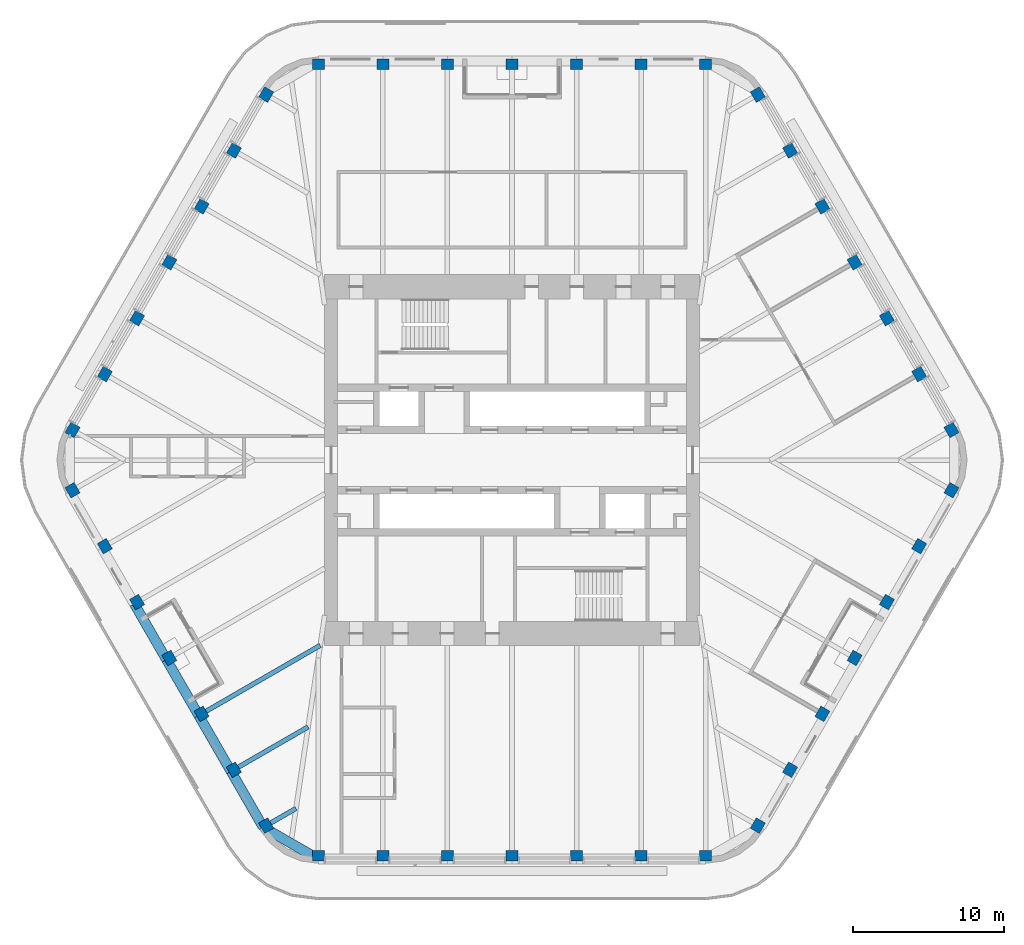
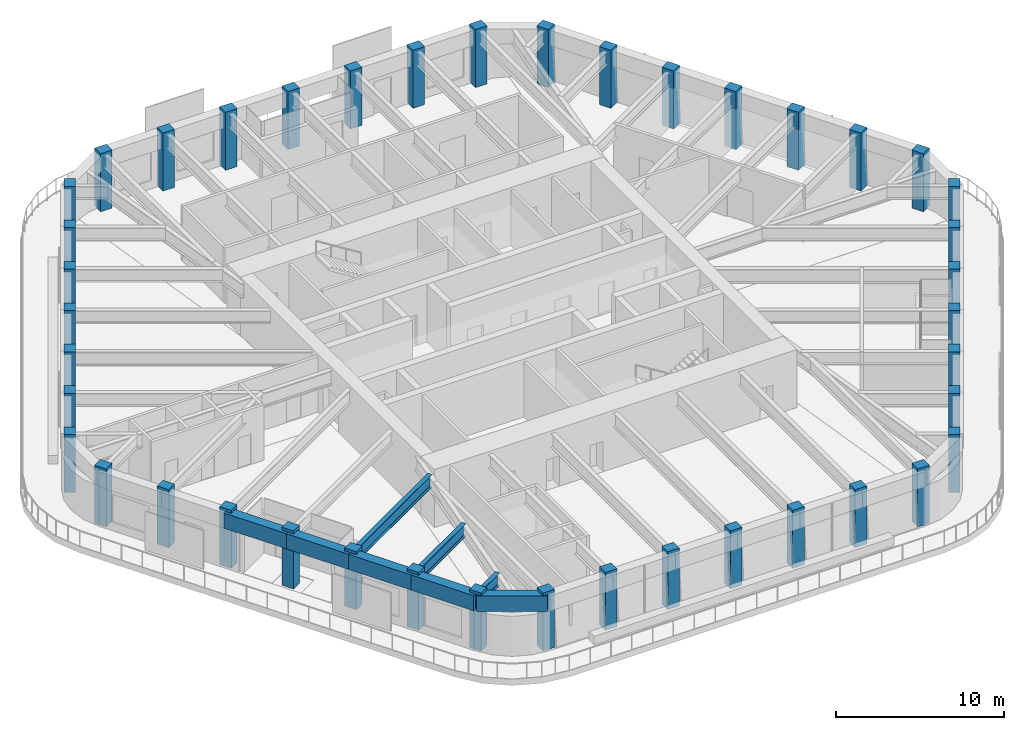
# One storey, part 1 of 19: 42 columns, 8 beams.
"""IFC4 building model written with IfcOpenShell, lengths in metres."""

from ifc_helpers import new_model, si_unit, direction, frame, origin, origin_2d, place, context, subcontext, project, spatial, rectangle, i_section, extrude, material, material_profile, profile_set, type_object, element, save


model = new_model("IFC4")

# Units and contexts
model_context = context("Model", 3, precision=1e-05, world=origin(), true_north=direction((0.0, 1.0)))
body_context = subcontext(model_context, "Body", "Model", "MODEL_VIEW")
ifc_project = project(units=[si_unit("LENGTHUNIT", "METRE"), si_unit("AREAUNIT", "SQUARE_METRE"), si_unit("VOLUMEUNIT", "CUBIC_METRE"), si_unit("PLANEANGLEUNIT", "RADIAN"), si_unit("MASSUNIT", "GRAM", prefix="KILO")], contexts=[model_context])

# Site, building, storey
site_placement = place(None, origin())
site = spatial("IfcSite", under=ifc_project, at=site_placement, CompositionType="ELEMENT")
building_placement = place(site_placement, origin())
building = spatial("IfcBuilding", under=site, at=building_placement, Name="Tarfa Lantern Tower", CompositionType="ELEMENT")
storey_placement = place(building_placement, frame((0.0, 0.0, 387.10009765625)))
storey = spatial("IfcBuildingStorey", under=building, at=storey_placement, Name="L88", CompositionType="ELEMENT", Elevation=387.10009765625)

# Columns
ifc_material_1 = material(Name="Concrete C80/95", Category="concrete")
ifc_material_profile_1 = material_profile(ifc_material_1, rectangle(XDim=0.800048828125, YDim=0.699951171875, at=origin_2d()), Name="RC 800x700")
ifc_profile_set_1 = profile_set([ifc_material_profile_1], Name="Concrete C80/95")
column_type = type_object("IfcColumnType", Name="TC16 RC 800x700", PredefinedType="COLUMN", material=ifc_profile_set_1)
for number, where, z_axis, x_axis, name in (
    (1, (29.15625, 2.0, 0.0), (0.0, 0.0, 1.0), (-0.5, 0.866025403784, 0.0), "Tube column NE0"),
    (2, (27.01513671875, 5.708251953125, 0.0), (0.0, 0.0, 1.0), (-0.5, 0.866025403784, 0.0), "Tube column NE1"),
    (3, (24.874267578125, 9.416748046875, 0.0), (0.0, 0.0, 1.0), (-0.5, 0.866025403784, 0.0), "Tube column NE2"),
    (4, (22.733154296875, 13.125, 0.0), (0.0, 0.0, 1.0), (-0.5, 0.866025403784, 0.0), "Tube column NE3"),
    (5, (20.592041015625, 16.833251953125, 0.0), (0.0, 0.0, 1.0), (-0.5, 0.866025403784, 0.0), "Tube column NE4"),
    (6, (18.451171875, 20.541748046875, 0.0), (0.0, 0.0, 1.0), (-0.5, 0.866025403784, 0.0), "Tube column NE5"),
    (7, (16.31005859375, 24.25, 0.0), (0.0, 0.0, 1.0), (-0.5, 0.866025403784, 0.0), "Tube column NE6"),
    (8, (12.845947265625, 26.25, 0.0), (0.0, 0.0, 1.0), (-1.0, 0.0, 0.0), "Tube column N0"),
    (9, (8.56396484375, 26.25, 0.0), (0.0, 0.0, 1.0), (-1.0, 0.0, 0.0), "Tube column N1"),
    (10, (4.281982421875, 26.25, 0.0), (0.0, 0.0, 1.0), (-1.0, 0.0, 0.0), "Tube column N2"),
    (11, (0.0, 26.25, 0.0), (0.0, 0.0, 1.0), (-1.0, 0.0, 0.0), "Tube column N3"),
    (12, (-4.281982421875, 26.25, 0.0), (0.0, 0.0, 1.0), (-1.0, 0.0, 0.0), "Tube column N4"),
    (13, (-8.56396484375, 26.25, 0.0), (0.0, 0.0, 1.0), (-1.0, 0.0, 0.0), "Tube column N5"),
    (14, (-12.845947265625, 26.25, 0.0), (0.0, 0.0, 1.0), (-1.0, 0.0, 0.0), "Tube column N6"),
    (15, (-16.31005859375, 24.25, 0.0), (0.0, 0.0, 1.0), (-0.5, -0.866025403784, 0.0), "Tube column NW0"),
    (16, (-18.451171875, 20.541748046875, 0.0), (0.0, 0.0, 1.0), (-0.5, -0.866025403784, 0.0), "Tube column NW1"),
    (17, (-20.592041015625, 16.833251953125, 0.0), (0.0, 0.0, 1.0), (-0.5, -0.866025403784, 0.0), "Tube column NW2"),
    (18, (-22.733154296875, 13.125, 0.0), (0.0, 0.0, 1.0), (-0.5, -0.866025403784, 0.0), "Tube column NW3"),
    (19, (-24.874267578125, 9.416748046875, 0.0), (0.0, 0.0, 1.0), (-0.5, -0.866025403784, 0.0), "Tube column NW4"),
    (20, (-27.01513671875, 5.708251953125, 0.0), (0.0, 0.0, 1.0), (-0.5, -0.866025403784, 0.0), "Tube column NW5"),
    (21, (-29.15625, 2.0, 0.0), (0.0, 0.0, 1.0), (-0.5, -0.866025403784, 0.0), "Tube column NW6"),
    (22, (-29.15625, -2.0, 0.0), (0.0, 0.0, 1.0), (0.5, -0.866025403784, 0.0), "Tube column SW0"),
    (23, (-27.01513671875, -5.708251953125, 0.0), (0.0, 0.0, 1.0), (0.5, -0.866025403784, 0.0), "Tube column SW1"),
    (24, (-24.874267578125, -9.416748046875, 0.0), (0.0, 0.0, 1.0), (0.5, -0.866025403784, 0.0), "Tube column SW2"),
    (25, (-22.733154296875, -13.125, 0.0), (0.0, 0.0, 1.0), (0.5, -0.866025403784, 0.0), "Tube column SW3"),
    (26, (-20.592041015625, -16.833251953125, 0.0), (0.0, 0.0, 1.0), (0.5, -0.866025403784, 0.0), "Tube column SW4"),
    (27, (-18.451171875, -20.541748046875, 0.0), (0.0, 0.0, 1.0), (0.5, -0.866025403784, 0.0), "Tube column SW5"),
    (28, (-16.31005859375, -24.25, 0.0), (0.0, 0.0, 1.0), (0.5, -0.866025403784, 0.0), "Tube column SW6"),
    (29, (-12.845947265625, -26.25, 0.0), (0.0, 0.0, 1.0), (1.0, 0.0, 0.0), "Tube column S0"),
    (30, (-8.56396484375, -26.25, 0.0), (0.0, 0.0, 1.0), (1.0, 0.0, 0.0), "Tube column S1"),
    (31, (-4.281982421875, -26.25, 0.0), (0.0, 0.0, 1.0), (1.0, 0.0, 0.0), "Tube column S2"),
    (32, (0.0, -26.25, 0.0), (0.0, 0.0, 1.0), (1.0, 0.0, 0.0), "Tube column S3"),
    (33, (4.281982421875, -26.25, 0.0), (0.0, 0.0, 1.0), (1.0, 0.0, 0.0), "Tube column S4"),
    (34, (8.56396484375, -26.25, 0.0), (0.0, 0.0, 1.0), (1.0, 0.0, 0.0), "Tube column S5"),
    (35, (12.845947265625, -26.25, 0.0), (0.0, 0.0, 1.0), (1.0, 0.0, 0.0), "Tube column S6"),
    (36, (16.31005859375, -24.25, 0.0), (0.0, 0.0, 1.0), (0.5, 0.866025403784, 0.0), "Tube column SE0"),
    (37, (18.451171875, -20.541748046875, 0.0), (0.0, 0.0, 1.0), (0.5, 0.866025403784, 0.0), "Tube column SE1"),
    (38, (20.592041015625, -16.833251953125, 0.0), (0.0, 0.0, 1.0), (0.5, 0.866025403784, 0.0), "Tube column SE2"),
    (39, (22.733154296875, -13.125, 0.0), (0.0, 0.0, 1.0), (0.5, 0.866025403784, 0.0), "Tube column SE3"),
    (40, (24.874267578125, -9.416748046875, 0.0), (0.0, 0.0, 1.0), (0.5, 0.866025403784, 0.0), "Tube column SE4"),
    (41, (27.01513671875, -5.708251953125, 0.0), (0.0, 0.0, 1.0), (0.5, 0.866025403784, 0.0), "Tube column SE5"),
    (42, (29.15625, -2.0, 0.0), (0.0, 0.0, 1.0), (0.5, 0.866025403784, 0.0), "Tube column SE6"),
):
    element("IfcColumn", number, at=place(storey_placement, frame(where, z_axis=z_axis, x_axis=x_axis)), inside=storey, type_object=column_type, Name=name, PredefinedType="COLUMN", context=body_context, shape_type="SweptSolid", body=[
        extrude(rectangle(XDim=0.800048828125, YDim=0.699951171875, at=origin_2d()), origin(), (0.0, 0.0, 1.0), 4.199951171875),
    ])

# Beams
ifc_material_profile_2 = material_profile(ifc_material_1, rectangle(XDim=0.64990234375, YDim=1.10009765625, at=origin_2d()), Name="RC 650x1100")
ifc_profile_set_2 = profile_set([ifc_material_profile_2], Name="Concrete C80/95")
beam_type_1 = type_object("IfcBeamType", Name="EB4 RC 650x1100", PredefinedType="SPANDREL", material=ifc_profile_set_2)
beam_1_placement = place(storey_placement, frame((-25.064697265625, -9.526611328125, 3.449951171875), z_axis=(0.500002112793, -0.866024183959, 0.0), x_axis=(0.866024183959, 0.500002112793, 0.0)))
element("IfcBeam", 43, at=beam_1_placement, inside=storey, type_object=beam_type_1, Name="Edge beam SW2", PredefinedType="SPANDREL", context=body_context, shape_type="SweptSolid", body=[
    extrude(rectangle(XDim=0.64990234375, YDim=1.10009765625, at=origin_2d()), origin(), (0.0, 0.0, 1.0), 4.2822265625),
])
for number, where, z_axis, x_axis, name in (
    (44, (-22.923583984375, -13.235107421875, 3.449951171875), (0.499984039138, -0.866034618596, 0.0), (0.866034618596, 0.499984039138, 0.0), "Edge beam SW3"),
    (45, (-20.78271484375, -16.943359375, 3.449951171875), (0.500026801138, -0.866009929587, 0.0), (0.866009929587, 0.500026801138, 0.0), "Edge beam SW4"),
    (46, (-18.6416015625, -20.651611328125, 3.449951171875), (0.499959351497, -0.866048870937, 0.0), (0.866048870937, 0.499959351497, 0.0), "Edge beam SW5"),
):
    element("IfcBeam", number, at=place(storey_placement, frame(where, z_axis=z_axis, x_axis=x_axis)), inside=storey, type_object=beam_type_1, Name=name, PredefinedType="SPANDREL", context=body_context, shape_type="SweptSolid", body=[
        extrude(rectangle(XDim=0.64990234375, YDim=1.10009765625, at=origin_2d()), origin(), (0.0, 0.0, 1.0), 4.281982421875),
    ])
beam_2_placement = place(storey_placement, frame((-16.500732421875, -24.360107421875, 3.449951171875), z_axis=(0.866048788483, -0.499959494327, 0.0), x_axis=(0.499959494327, 0.866048788483, 0.0)))
element("IfcBeam", 47, at=beam_2_placement, inside=storey, type_object=beam_type_1, Name="Edge beam SW6", PredefinedType="SPANDREL", context=body_context, shape_type="SweptSolid", body=[
    extrude(rectangle(XDim=0.64990234375, YDim=1.10009765625, at=origin_2d()), origin(), (0.0, 0.0, 1.0), 4.219970703125),
])
ifc_material_2 = material(Name="Steel S460M", Category="steel")
ifc_material_profile_3 = material_profile(ifc_material_2, i_section(OverallWidth=0.305419921875, OverallDepth=0.91845703125, WebThickness=0.017333984375, FlangeThickness=0.02783203125, FilletRadius=0.01904296875, at=origin_2d()), Name="UB914x305x253")
ifc_profile_set_3 = profile_set([ifc_material_profile_3], Name="Steel S460M")
beam_type_2 = type_object("IfcBeamType", Name="UB914x305x253", PredefinedType="BEAM", material=ifc_profile_set_3)
beam_3_placement = place(storey_placement, frame((-20.78271484375, -16.943359375, 3.540771484375), z_axis=(0.866021806508, 0.500006230613, 0.0), x_axis=(-0.500006230613, 0.866021806508, 0.0)))
element("IfcBeam", 48, at=beam_3_placement, inside=storey, type_object=beam_type_2, Name="Floor beam SW4", PredefinedType="BEAM", context=body_context, shape_type="SweptSolid", body=[
    extrude(i_section(OverallWidth=0.305419921875, OverallDepth=0.91845703125, WebThickness=0.017333984375, FlangeThickness=0.02783203125, FilletRadius=0.01904296875, at=origin_2d()), origin(), (0.0, 0.0, 1.0), 9.30908203125),
])
beam_4_placement = place(storey_placement, frame((-18.6416015625, -20.651611328125, 3.540771484375), z_axis=(0.866024549157, 0.500001480256, 0.0), x_axis=(-0.500001480256, 0.866024549157, 0.0)))
element("IfcBeam", 49, at=beam_4_placement, inside=storey, type_object=beam_type_2, Name="Floor beam SW5", PredefinedType="BEAM", context=body_context, shape_type="SweptSolid", body=[
    extrude(i_section(OverallWidth=0.305419921875, OverallDepth=0.91845703125, WebThickness=0.017333984375, FlangeThickness=0.02783203125, FilletRadius=0.01904296875, at=origin_2d()), origin(), (0.0, 0.0, 1.0), 5.90771484375),
])
beam_5_placement = place(storey_placement, frame((-16.500732421875, -24.360107421875, 3.540771484375), z_axis=(0.865992557167, 0.500056887695, 0.0), x_axis=(-0.500056887695, 0.865992557167, 0.0)))
element("IfcBeam", 50, at=beam_5_placement, inside=storey, type_object=beam_type_2, Name="Floor beam SW6", PredefinedType="BEAM", context=body_context, shape_type="SweptSolid", body=[
    extrude(i_section(OverallWidth=0.305419921875, OverallDepth=0.91845703125, WebThickness=0.017333984375, FlangeThickness=0.02783203125, FilletRadius=0.01904296875, at=origin_2d()), origin(), (0.0, 0.0, 1.0), 2.506591796875),
])

save(model, "model.ifc")
